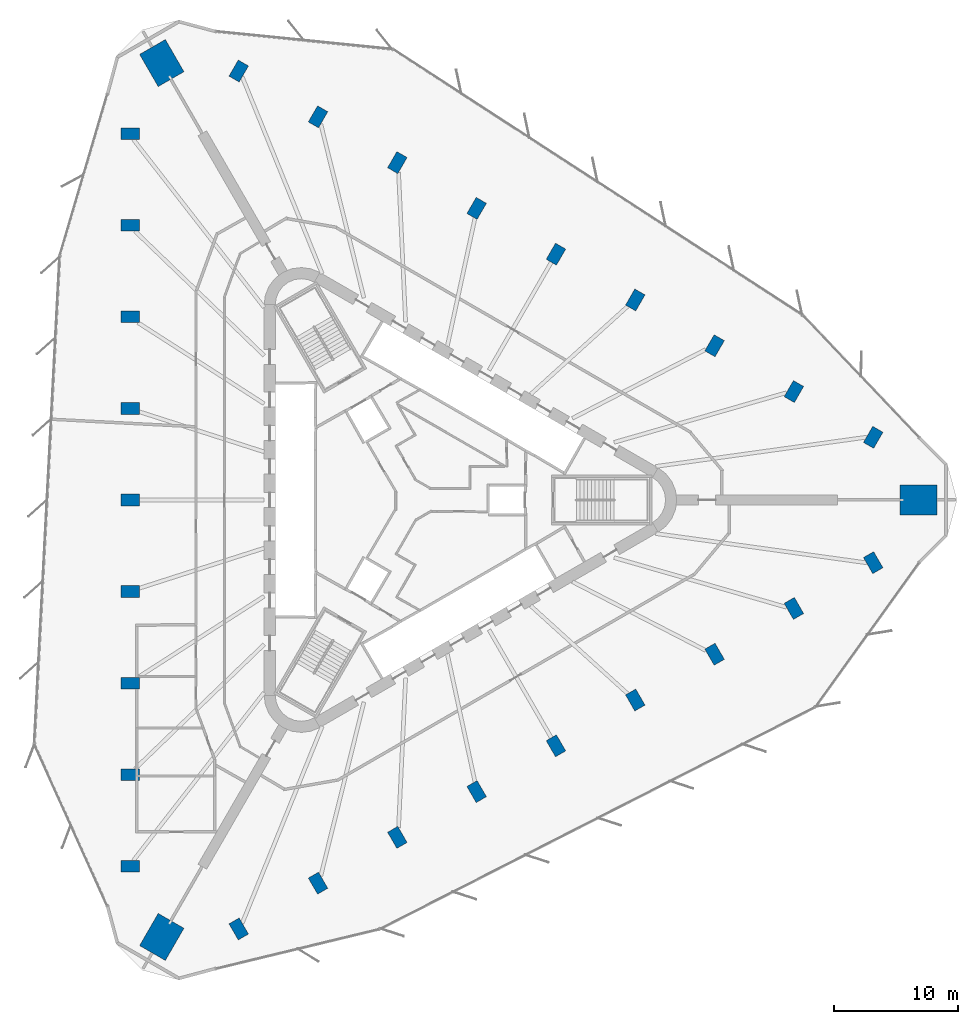
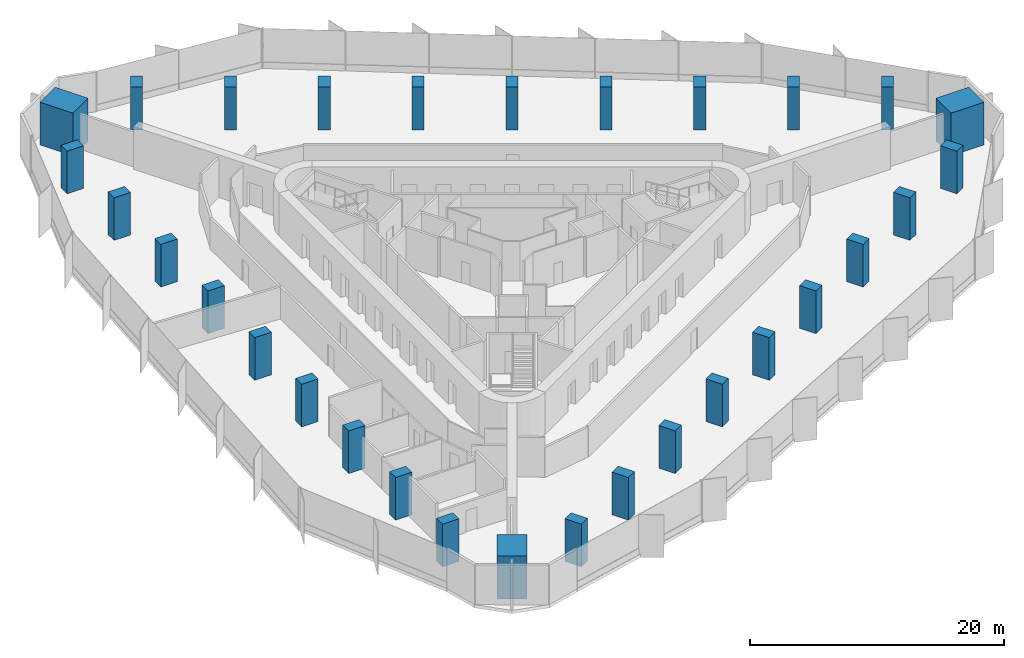
# One storey, part 1 of 14: 30 columns.
"""IFC4 building model written with IfcOpenShell, lengths in metres."""

from ifc_helpers import new_model, si_unit, direction, frame, origin, origin_2d, place, context, subcontext, project, spatial, rectangle, extrude, material, material_profile, profile_set, type_object, element, save


model = new_model("IFC4")

# Units and contexts
model_context = context("Model", 3, precision=1e-05, world=origin(), true_north=direction((0.0, 1.0)))
body_context = subcontext(model_context, "Body", "Model", "MODEL_VIEW")
ifc_project = project(units=[si_unit("LENGTHUNIT", "METRE"), si_unit("AREAUNIT", "SQUARE_METRE"), si_unit("VOLUMEUNIT", "CUBIC_METRE"), si_unit("PLANEANGLEUNIT", "RADIAN"), si_unit("MASSUNIT", "GRAM", prefix="KILO")], contexts=[model_context])

# Site, building, storey
site_placement = place(None, origin())
site = spatial("IfcSite", under=ifc_project, at=site_placement, CompositionType="ELEMENT")
building_placement = place(site_placement, origin())
building = spatial("IfcBuilding", under=site, at=building_placement, Name="Tanit Gate Tower", CompositionType="ELEMENT")
storey_placement = place(building_placement, frame((0.0, 0.0, 107.0)))
storey = spatial("IfcBuildingStorey", under=building, at=storey_placement, Name="L22", CompositionType="ELEMENT", Elevation=107.0)

# Columns
ifc_material_1 = material(Name="Concrete C70/85", Category="concrete")
ifc_material_profile_1 = material_profile(ifc_material_1, rectangle(XDim=3.0, YDim=2.39990234375, at=origin_2d()), Name="RC 3000x2400")
ifc_profile_set_1 = profile_set([ifc_material_profile_1], Name="Concrete C70/85")
column_type_1 = type_object("IfcColumnType", Name="MEGA COLUMN 3000x2400 C70/85", PredefinedType="COLUMN", material=ifc_profile_set_1)
for number, where, z_axis, x_axis, name in (
    (1, (40.72314453125, 0.0, 0.0), (0.0, 0.0, 1.0), (1.0, 0.0, 0.0), "MEGA COLUMN"),
    (2, (-20.361572265625, 35.26708984375, 0.0), (0.0, 0.0, 1.0), (-0.5, 0.866025403784, 0.0), "MEGA COLUMN"),
    (3, (-20.361572265625, -35.26708984375, 0.0), (0.0, 0.0, 1.0), (-0.5, -0.866025403784, 0.0), "MEGA COLUMN"),
):
    element("IfcColumn", number, at=place(storey_placement, frame(where, z_axis=z_axis, x_axis=x_axis)), inside=storey, type_object=column_type_1, Name=name, PredefinedType="COLUMN", context=body_context, shape_type="SweptSolid", body=[
        extrude(rectangle(XDim=3.0, YDim=2.39990234375, at=origin_2d()), origin(), (0.0, 0.0, 1.0), 4.10009765625),
    ])
ifc_material_2 = material(Name="Concrete C60/75", Category="concrete")
ifc_material_profile_2 = material_profile(ifc_material_2, rectangle(XDim=1.5, YDim=0.949951171875, at=origin_2d()), Name="RC 1500x950")
ifc_profile_set_2 = profile_set([ifc_material_profile_2], Name="Concrete C60/75")
column_type_2 = type_object("IfcColumnType", Name="PERIMETER COLUMN 1500x950 C60/75", PredefinedType="COLUMN", material=ifc_profile_set_2)
for number, where, z_axis, x_axis, name in (
    (4, (-22.9091796875, 29.56591796875, 0.0), (0.0, 0.0, 1.0), (-1.0, 0.0, 0.0), "PERIMETER COLUMN"),
    (5, (-22.9091796875, 22.17431640625, 0.0), (0.0, 0.0, 1.0), (-1.0, 0.0, 0.0), "PERIMETER COLUMN"),
    (6, (-22.9091796875, 14.782958984375, 0.0), (0.0, 0.0, 1.0), (-1.0, 0.0, 0.0), "PERIMETER COLUMN"),
    (7, (-22.9091796875, 7.391357421875, 0.0), (0.0, 0.0, 1.0), (-1.0, 0.0, 0.0), "PERIMETER COLUMN"),
    (8, (-22.9091796875, 0.0, 0.0), (0.0, 0.0, 1.0), (-1.0, 0.0, 0.0), "PERIMETER COLUMN"),
    (9, (-22.9091796875, -7.391357421875, 0.0), (0.0, 0.0, 1.0), (-1.0, 0.0, 0.0), "PERIMETER COLUMN"),
    (10, (-22.9091796875, -14.782958984375, 0.0), (0.0, 0.0, 1.0), (-1.0, 0.0, 0.0), "PERIMETER COLUMN"),
    (11, (-22.9091796875, -22.17431640625, 0.0), (0.0, 0.0, 1.0), (-1.0, 0.0, 0.0), "PERIMETER COLUMN"),
    (12, (-22.9091796875, -29.56591796875, 0.0), (0.0, 0.0, 1.0), (-1.0, 0.0, 0.0), "PERIMETER COLUMN"),
    (13, (37.059326171875, 5.056884765625, 0.0), (0.0, 0.0, 1.0), (0.5, 0.866025403784, 0.0), "PERIMETER COLUMN"),
    (14, (30.658203125, 8.752685546875, 0.0), (0.0, 0.0, 1.0), (0.5, 0.866025403784, 0.0), "PERIMETER COLUMN"),
    (15, (24.2568359375, 12.448486328125, 0.0), (0.0, 0.0, 1.0), (0.5, 0.866025403784, 0.0), "PERIMETER COLUMN"),
    (16, (17.855712890625, 16.14404296875, 0.0), (0.0, 0.0, 1.0), (0.5, 0.866025403784, 0.0), "PERIMETER COLUMN"),
    (17, (11.45458984375, 19.83984375, 0.0), (0.0, 0.0, 1.0), (0.5, 0.866025403784, 0.0), "PERIMETER COLUMN"),
    (18, (5.05322265625, 23.535400390625, 0.0), (0.0, 0.0, 1.0), (0.5, 0.866025403784, 0.0), "PERIMETER COLUMN"),
    (19, (-1.347900390625, 27.231201171875, 0.0), (0.0, 0.0, 1.0), (0.5, 0.866025403784, 0.0), "PERIMETER COLUMN"),
    (20, (-7.7490234375, 30.927001953125, 0.0), (0.0, 0.0, 1.0), (0.5, 0.866025403784, 0.0), "PERIMETER COLUMN"),
    (21, (-14.150146484375, 34.622802734375, 0.0), (0.0, 0.0, 1.0), (0.5, 0.866025403784, 0.0), "PERIMETER COLUMN"),
    (22, (-14.150146484375, -34.622802734375, 0.0), (0.0, 0.0, 1.0), (0.5, -0.866025403784, 0.0), "PERIMETER COLUMN"),
    (23, (-7.7490234375, -30.927001953125, 0.0), (0.0, 0.0, 1.0), (0.5, -0.866025403784, 0.0), "PERIMETER COLUMN"),
    (24, (-1.347900390625, -27.231201171875, 0.0), (0.0, 0.0, 1.0), (0.5, -0.866025403784, 0.0), "PERIMETER COLUMN"),
    (25, (5.05322265625, -23.535400390625, 0.0), (0.0, 0.0, 1.0), (0.5, -0.866025403784, 0.0), "PERIMETER COLUMN"),
    (26, (11.45458984375, -19.83984375, 0.0), (0.0, 0.0, 1.0), (0.5, -0.866025403784, 0.0), "PERIMETER COLUMN"),
    (27, (17.855712890625, -16.14404296875, 0.0), (0.0, 0.0, 1.0), (0.5, -0.866025403784, 0.0), "PERIMETER COLUMN"),
    (28, (24.2568359375, -12.448486328125, 0.0), (0.0, 0.0, 1.0), (0.5, -0.866025403784, 0.0), "PERIMETER COLUMN"),
    (29, (30.658203125, -8.752685546875, 0.0), (0.0, 0.0, 1.0), (0.5, -0.866025403784, 0.0), "PERIMETER COLUMN"),
    (30, (37.059326171875, -5.056884765625, 0.0), (0.0, 0.0, 1.0), (0.5, -0.866025403784, 0.0), "PERIMETER COLUMN"),
):
    element("IfcColumn", number, at=place(storey_placement, frame(where, z_axis=z_axis, x_axis=x_axis)), inside=storey, type_object=column_type_2, Name=name, PredefinedType="COLUMN", context=body_context, shape_type="SweptSolid", body=[
        extrude(rectangle(XDim=1.5, YDim=0.949951171875, at=origin_2d()), origin(), (0.0, 0.0, 1.0), 4.10009765625),
    ])

save(model, "model.ifc")
